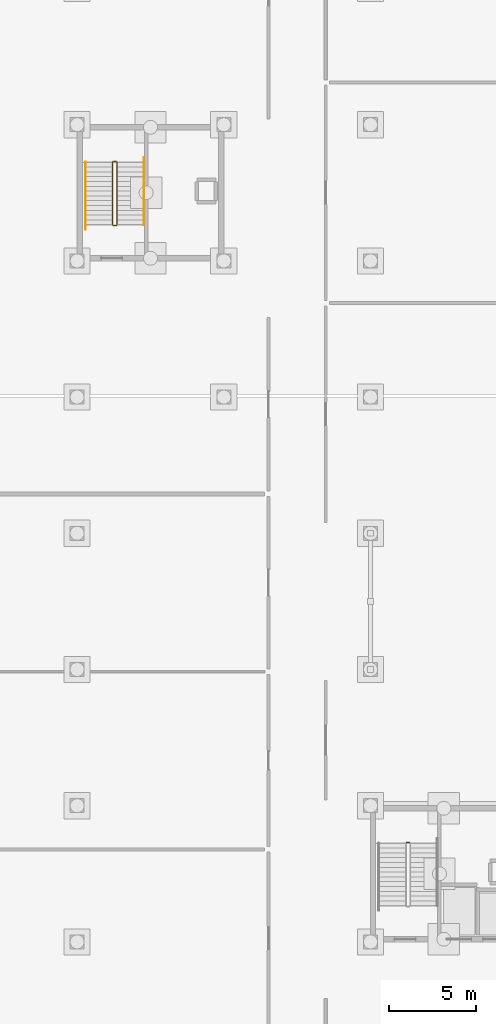
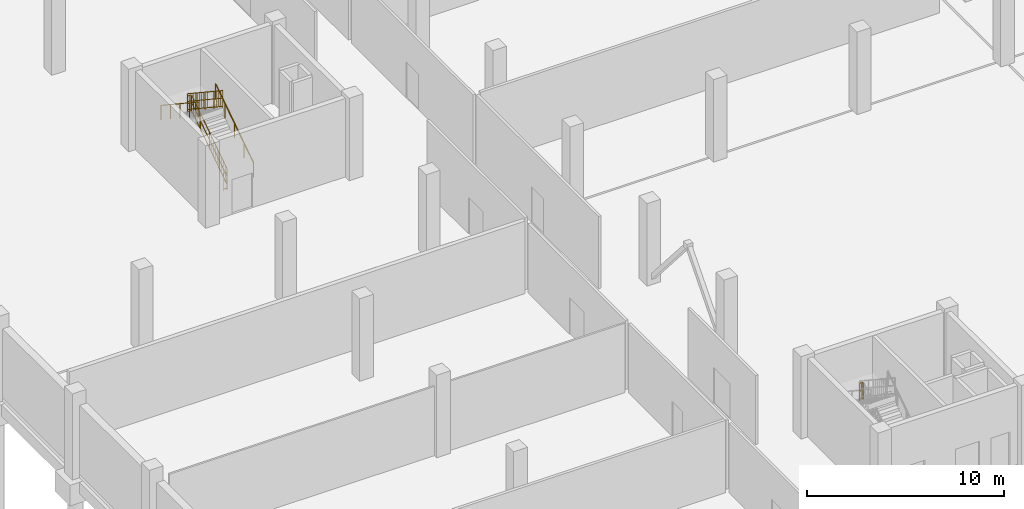
# One storey, part 42 of 48: 7 railings.
"""IFC4 building model written with IfcOpenShell, lengths in metres."""

from ifc_helpers import new_model, si_unit, direction, frame, origin, origin_2d, place, context, subcontext, project, spatial, circle, extrude, material, layer, layer_set, type_object, element, save


model = new_model("IFC4")

# Units and contexts
model_context = context("Model", 3, precision=1e-05, world=origin(), true_north=direction((0.0, 1.0)))
body_context = subcontext(model_context, "Body", "Model", "MODEL_VIEW")
ifc_project = project(units=[si_unit("LENGTHUNIT", "METRE"), si_unit("AREAUNIT", "SQUARE_METRE"), si_unit("VOLUMEUNIT", "CUBIC_METRE"), si_unit("PLANEANGLEUNIT", "RADIAN"), si_unit("MASSUNIT", "GRAM", prefix="KILO")], contexts=[model_context])

# Site, building, storey
site_placement = place(None, origin())
site = spatial("IfcSite", under=ifc_project, at=site_placement, CompositionType="ELEMENT")
building_placement = place(site_placement, origin())
building = spatial("IfcBuilding", under=site, at=building_placement, Name="Nabrawat Pavilion Hospital", CompositionType="ELEMENT")
storey_placement = place(building_placement, frame((0.0, 0.0, -5.10009765625)))
storey = spatial("IfcBuildingStorey", under=building, at=storey_placement, Name="B1", CompositionType="ELEMENT", Elevation=-5.10009765625)

# Railings
ifc_material = material(Name="Stainless Steel 316", Category="steel")
ifc_layer_1 = layer(ifc_material, 0.050048828125, Name="Stainless Steel 316")
ifc_layer_set_1 = layer_set([ifc_layer_1], Name="Stainless Steel 316")
railing_type_1 = type_object("IfcRailingType", Name="Stair Open-Well Safety Guardrail 1100", PredefinedType="GUARDRAIL", material=ifc_layer_set_1)
railing_1_placement = place(storey_placement, frame((35.85009765625, 60.294921875, 2.550048828125)))
element("IfcRailing", 1, at=railing_1_placement, inside=storey, type_object=railing_type_1, Name="B1 ST-02 stair guard 2", PredefinedType="GUARDRAIL", context=body_context, shape_type="SweptSolid", body=[
    extrude(circle(Radius=0.02392578125, at=origin_2d()), frame((0.0, 0.0, 1.076171875), z_axis=(-1.0, 0.0, 0.0), x_axis=(0.0, -1.0, 0.0)), (0.0, 0.0, 1.0), 0.2001953125),
    extrude(circle(Radius=0.02392578125, at=origin_2d()), frame((0.0, 0.0, 0.10009765625), z_axis=(-1.0, 0.0, 0.0), x_axis=(0.0, -1.0, 0.0)), (0.0, 0.0, 1.0), 0.2001953125),
    extrude(circle(Radius=0.02392578125, at=origin_2d()), frame((0.0, 0.0, 0.60498046875), z_axis=(-1.0, 0.0, 0.0), x_axis=(0.0, -1.0, 0.0)), (0.0, 0.0, 1.0), 0.2001953125),
    extrude(circle(Radius=0.008056640625, at=origin_2d()), frame((-0.10009765625, 0.0, 0.10009765625)), (0.0, 0.0, 1.0), 0.951904296875),
    extrude(circle(Radius=0.02099609375, at=origin_2d()), origin(), (0.0, 0.0, 1.0), 1.052001953125),
    extrude(circle(Radius=0.02099609375, at=origin_2d()), frame((-0.2001953125, 0.0, 0.0)), (0.0, 0.0, 1.0), 1.052001953125),
])
railing_2_placement = place(storey_placement, frame((19.074951171875, 95.669921875, 0.18212890625)))
element("IfcRailing", 2, at=railing_2_placement, inside=storey, type_object=railing_type_1, Name="B1 ST-07 stair guard 1", PredefinedType="GUARDRAIL", context=body_context, shape_type="SweptSolid", body=[
    extrude(circle(Radius=0.02392578125, at=origin_2d()), frame((0.0, 0.0, 1.076171875), z_axis=(0.0, 0.833719449677, 0.5521882643), x_axis=(-1.0, 0.0, 0.0)), (0.0, 0.0, 1.0), 4.288330078125),
    extrude(circle(Radius=0.02392578125, at=origin_2d()), frame((0.0, 0.0, 0.10009765625), z_axis=(0.0, 0.833719449677, 0.5521882643), x_axis=(-1.0, 0.0, 0.0)), (0.0, 0.0, 1.0), 4.288330078125),
    extrude(circle(Radius=0.02392578125, at=origin_2d()), frame((0.0, 0.0, 0.60498046875), z_axis=(0.0, 0.833719449677, 0.5521882643), x_axis=(-1.0, 0.0, 0.0)), (0.0, 0.0, 1.0), 4.288330078125),
    extrude(circle(Radius=0.008056640625, at=origin_2d()), frame((0.0, 0.19873046875, 0.2314453125)), (0.0, 0.0, 1.0), 0.951904296875),
    extrude(circle(Radius=0.008056640625, at=origin_2d()), frame((0.0, 0.397216796875, 0.363037109375)), (0.0, 0.0, 1.0), 0.951904296875),
    extrude(circle(Radius=0.008056640625, at=origin_2d()), frame((0.0, 0.595947265625, 0.49462890625)), (0.0, 0.0, 1.0), 0.951904296875),
    extrude(circle(Radius=0.008056640625, at=origin_2d()), frame((0.0, 0.79443359375, 0.626220703125)), (0.0, 0.0, 1.0), 0.951904296875),
    extrude(circle(Radius=0.008056640625, at=origin_2d()), frame((0.0, 0.9931640625, 0.7578125)), (0.0, 0.0, 1.0), 0.951904296875),
    extrude(circle(Radius=0.008056640625, at=origin_2d()), frame((0.0, 1.191650390625, 0.889404296875)), (0.0, 0.0, 1.0), 0.951904296875),
    extrude(circle(Radius=0.008056640625, at=origin_2d()), frame((0.0, 1.390380859375, 1.020751953125)), (0.0, 0.0, 1.0), 0.951904296875),
    extrude(circle(Radius=0.008056640625, at=origin_2d()), frame((0.0, 1.5888671875, 1.15234375)), (0.0, 0.0, 1.0), 0.951904296875),
    extrude(circle(Radius=0.008056640625, at=origin_2d()), frame((0.0, 1.986328125, 1.41552734375)), (0.0, 0.0, 1.0), 0.951904296875),
    extrude(circle(Radius=0.008056640625, at=origin_2d()), frame((0.0, 2.184814453125, 1.547119140625)), (0.0, 0.0, 1.0), 0.951904296875),
    extrude(circle(Radius=0.008056640625, at=origin_2d()), frame((0.0, 2.383544921875, 1.6787109375)), (0.0, 0.0, 1.0), 0.951904296875),
    extrude(circle(Radius=0.008056640625, at=origin_2d()), frame((0.0, 2.58203125, 1.81005859375)), (0.0, 0.0, 1.0), 0.951904296875),
    extrude(circle(Radius=0.008056640625, at=origin_2d()), frame((0.0, 2.78076171875, 1.941650390625)), (0.0, 0.0, 1.0), 0.951904296875),
    extrude(circle(Radius=0.008056640625, at=origin_2d()), frame((0.0, 2.979248046875, 2.0732421875)), (0.0, 0.0, 1.0), 0.951904296875),
    extrude(circle(Radius=0.008056640625, at=origin_2d()), frame((0.0, 3.177978515625, 2.204833984375)), (0.0, 0.0, 1.0), 0.951904296875),
    extrude(circle(Radius=0.008056640625, at=origin_2d()), frame((0.0, 3.37646484375, 2.33642578125)), (0.0, 0.0, 1.0), 0.951904296875),
    extrude(circle(Radius=0.02099609375, at=origin_2d()), origin(), (0.0, 0.0, 1.0), 1.052001953125),
    extrude(circle(Radius=0.02099609375, at=origin_2d()), frame((0.0, 0.893798828125, 0.592041015625)), (0.0, 0.0, 1.0), 1.052001953125),
    extrude(circle(Radius=0.02099609375, at=origin_2d()), frame((0.0, 1.78759765625, 1.18408203125)), (0.0, 0.0, 1.0), 1.052001953125),
    extrude(circle(Radius=0.02099609375, at=origin_2d()), frame((0.0, 2.681396484375, 1.77587890625)), (0.0, 0.0, 1.0), 1.052001953125),
    extrude(circle(Radius=0.02099609375, at=origin_2d()), frame((0.0, 3.5751953125, 2.367919921875)), (0.0, 0.0, 1.0), 1.052001953125),
])
railing_3_placement = place(storey_placement, frame((19.050048828125, 99.294921875, 2.550048828125)))
element("IfcRailing", 3, at=railing_3_placement, inside=storey, type_object=railing_type_1, Name="B1 ST-07 stair guard 2", PredefinedType="GUARDRAIL", context=body_context, shape_type="SweptSolid", body=[
    extrude(circle(Radius=0.02392578125, at=origin_2d()), frame((0.0, 0.0, 1.076171875), z_axis=(-1.0, 0.0, 0.0), x_axis=(0.0, -1.0, 0.0)), (0.0, 0.0, 1.0), 0.199951171875),
    extrude(circle(Radius=0.02392578125, at=origin_2d()), frame((0.0, 0.0, 0.10009765625), z_axis=(-1.0, 0.0, 0.0), x_axis=(0.0, -1.0, 0.0)), (0.0, 0.0, 1.0), 0.199951171875),
    extrude(circle(Radius=0.02392578125, at=origin_2d()), frame((0.0, 0.0, 0.60498046875), z_axis=(-1.0, 0.0, 0.0), x_axis=(0.0, -1.0, 0.0)), (0.0, 0.0, 1.0), 0.199951171875),
    extrude(circle(Radius=0.008056640625, at=origin_2d()), frame((-0.10009765625, 0.0, 0.10009765625)), (0.0, 0.0, 1.0), 0.951904296875),
    extrude(circle(Radius=0.02099609375, at=origin_2d()), origin(), (0.0, 0.0, 1.0), 1.052001953125),
    extrude(circle(Radius=0.02099609375, at=origin_2d()), frame((-0.199951171875, 0.0, 0.0)), (0.0, 0.0, 1.0), 1.052001953125),
])
railing_4_placement = place(storey_placement, frame((18.824951171875, 99.2451171875, 2.732177734375)))
element("IfcRailing", 4, at=railing_4_placement, inside=storey, type_object=railing_type_1, Name="B1 ST-07 stair guard 3", PredefinedType="GUARDRAIL", context=body_context, shape_type="SweptSolid", body=[
    extrude(circle(Radius=0.02392578125, at=origin_2d()), frame((0.0, 0.0, 1.076171875), z_axis=(0.0, -0.833719449677, 0.5521882643), x_axis=(1.0, 0.0, 0.0)), (0.0, 0.0, 1.0), 4.288330078125),
    extrude(circle(Radius=0.02392578125, at=origin_2d()), frame((0.0, 0.0, 0.10009765625), z_axis=(0.0, -0.833719449677, 0.5521882643), x_axis=(1.0, 0.0, 0.0)), (0.0, 0.0, 1.0), 4.288330078125),
    extrude(circle(Radius=0.02392578125, at=origin_2d()), frame((0.0, 0.0, 0.60498046875), z_axis=(0.0, -0.833719449677, 0.5521882643), x_axis=(1.0, 0.0, 0.0)), (0.0, 0.0, 1.0), 4.288330078125),
    extrude(circle(Radius=0.008056640625, at=origin_2d()), frame((0.0, -0.19873046875, 0.2314453125)), (0.0, 0.0, 1.0), 0.951904296875),
    extrude(circle(Radius=0.008056640625, at=origin_2d()), frame((0.0, -0.397216796875, 0.363037109375)), (0.0, 0.0, 1.0), 0.951904296875),
    extrude(circle(Radius=0.008056640625, at=origin_2d()), frame((0.0, -0.595947265625, 0.49462890625)), (0.0, 0.0, 1.0), 0.951904296875),
    extrude(circle(Radius=0.008056640625, at=origin_2d()), frame((0.0, -0.79443359375, 0.626220703125)), (0.0, 0.0, 1.0), 0.951904296875),
    extrude(circle(Radius=0.008056640625, at=origin_2d()), frame((0.0, -0.9931640625, 0.7578125)), (0.0, 0.0, 1.0), 0.951904296875),
    extrude(circle(Radius=0.008056640625, at=origin_2d()), frame((0.0, -1.191650390625, 0.889404296875)), (0.0, 0.0, 1.0), 0.951904296875),
    extrude(circle(Radius=0.008056640625, at=origin_2d()), frame((0.0, -1.390380859375, 1.020751953125)), (0.0, 0.0, 1.0), 0.951904296875),
    extrude(circle(Radius=0.008056640625, at=origin_2d()), frame((0.0, -1.5888671875, 1.15234375)), (0.0, 0.0, 1.0), 0.951904296875),
    extrude(circle(Radius=0.008056640625, at=origin_2d()), frame((0.0, -1.986328125, 1.41552734375)), (0.0, 0.0, 1.0), 0.951904296875),
    extrude(circle(Radius=0.008056640625, at=origin_2d()), frame((0.0, -2.184814453125, 1.547119140625)), (0.0, 0.0, 1.0), 0.951904296875),
    extrude(circle(Radius=0.008056640625, at=origin_2d()), frame((0.0, -2.383544921875, 1.6787109375)), (0.0, 0.0, 1.0), 0.951904296875),
    extrude(circle(Radius=0.008056640625, at=origin_2d()), frame((0.0, -2.58203125, 1.81005859375)), (0.0, 0.0, 1.0), 0.951904296875),
    extrude(circle(Radius=0.008056640625, at=origin_2d()), frame((0.0, -2.78076171875, 1.941650390625)), (0.0, 0.0, 1.0), 0.951904296875),
    extrude(circle(Radius=0.008056640625, at=origin_2d()), frame((0.0, -2.979248046875, 2.0732421875)), (0.0, 0.0, 1.0), 0.951904296875),
    extrude(circle(Radius=0.008056640625, at=origin_2d()), frame((0.0, -3.177978515625, 2.204833984375)), (0.0, 0.0, 1.0), 0.951904296875),
    extrude(circle(Radius=0.008056640625, at=origin_2d()), frame((0.0, -3.37646484375, 2.33642578125)), (0.0, 0.0, 1.0), 0.951904296875),
    extrude(circle(Radius=0.02099609375, at=origin_2d()), origin(), (0.0, 0.0, 1.0), 1.052001953125),
    extrude(circle(Radius=0.02099609375, at=origin_2d()), frame((0.0, -0.893798828125, 0.592041015625)), (0.0, 0.0, 1.0), 1.052001953125),
    extrude(circle(Radius=0.02099609375, at=origin_2d()), frame((0.0, -1.78759765625, 1.18408203125)), (0.0, 0.0, 1.0), 1.052001953125),
    extrude(circle(Radius=0.02099609375, at=origin_2d()), frame((0.0, -2.681396484375, 1.77587890625)), (0.0, 0.0, 1.0), 1.052001953125),
    extrude(circle(Radius=0.02099609375, at=origin_2d()), frame((0.0, -3.5751953125, 2.367919921875)), (0.0, 0.0, 1.0), 1.052001953125),
])
railing_5_placement = place(storey_placement, frame((19.050048828125, 95.6201171875, 0.0)))
element("IfcRailing", 5, at=railing_5_placement, inside=storey, type_object=railing_type_1, Name="B1 ST-07 stair guard 4", PredefinedType="GUARDRAIL", context=body_context, shape_type="SweptSolid", body=[
    extrude(circle(Radius=0.02392578125, at=origin_2d()), frame((0.0, 0.0, 1.076171875), z_axis=(-1.0, 0.0, 0.0), x_axis=(0.0, -1.0, 0.0)), (0.0, 0.0, 1.0), 0.199951171875),
    extrude(circle(Radius=0.02392578125, at=origin_2d()), frame((0.0, 0.0, 0.10009765625), z_axis=(-1.0, 0.0, 0.0), x_axis=(0.0, -1.0, 0.0)), (0.0, 0.0, 1.0), 0.199951171875),
    extrude(circle(Radius=0.02392578125, at=origin_2d()), frame((0.0, 0.0, 0.60498046875), z_axis=(-1.0, 0.0, 0.0), x_axis=(0.0, -1.0, 0.0)), (0.0, 0.0, 1.0), 0.199951171875),
    extrude(circle(Radius=0.008056640625, at=origin_2d()), frame((-0.10009765625, 0.0, 0.10009765625)), (0.0, 0.0, 1.0), 0.951904296875),
    extrude(circle(Radius=0.02099609375, at=origin_2d()), origin(), (0.0, 0.0, 1.0), 1.052001953125),
    extrude(circle(Radius=0.02099609375, at=origin_2d()), frame((-0.199951171875, 0.0, 0.0)), (0.0, 0.0, 1.0), 1.052001953125),
])
ifc_layer_2 = layer(ifc_material, 0.044921875, Name="Stainless Steel 316")
ifc_layer_set_2 = layer_set([ifc_layer_2], Name="Stainless Steel 316")
railing_type_2 = type_object("IfcRailingType", Name="Stair Pitch Continuous Handrail 920", PredefinedType="HANDRAIL", material=ifc_layer_set_2)
railing_6_placement = place(storey_placement, frame((20.625, 95.669921875, 0.186279296875)))
element("IfcRailing", 6, at=railing_6_placement, inside=storey, type_object=railing_type_2, Name="B1 ST-07 stair handrail 1", PredefinedType="HANDRAIL", context=body_context, shape_type="SweptSolid", body=[
    extrude(circle(Radius=0.02392578125, at=origin_2d()), frame((0.0, 0.0, 0.89599609375), z_axis=(0.0, 0.833713881912, 0.552196670677), x_axis=(-1.0, 0.0, 0.0)), (0.0, 0.0, 1.0), 4.617919921875),
    extrude(circle(Radius=0.02099609375, at=origin_2d()), origin(), (0.0, 0.0, 1.0), 0.871826171875),
    extrude(circle(Radius=0.02099609375, at=origin_2d()), frame((0.0, 0.96240234375, 0.637451171875)), (0.0, 0.0, 1.0), 0.871826171875),
    extrude(circle(Radius=0.02099609375, at=origin_2d()), frame((0.0, 1.925048828125, 1.27490234375)), (0.0, 0.0, 1.0), 0.871826171875),
    extrude(circle(Radius=0.02099609375, at=origin_2d()), frame((0.0, 2.8876953125, 1.91259765625)), (0.0, 0.0, 1.0), 0.871826171875),
    extrude(circle(Radius=0.02099609375, at=origin_2d()), frame((0.0, 3.85009765625, 2.550048828125)), (0.0, 0.0, 1.0), 0.871826171875),
])
railing_7_placement = place(storey_placement, frame((17.27490234375, 99.2451171875, 2.736328125)))
element("IfcRailing", 7, at=railing_7_placement, inside=storey, type_object=railing_type_2, Name="B1 ST-07 stair handrail 2", PredefinedType="HANDRAIL", context=body_context, shape_type="SweptSolid", body=[
    extrude(circle(Radius=0.02392578125, at=origin_2d()), frame((0.0, 0.0, 0.89599609375), z_axis=(0.0, -0.833738220445, 0.552159922278), x_axis=(1.0, 0.0, 0.0)), (0.0, 0.0, 1.0), 4.617919921875),
    extrude(circle(Radius=0.02099609375, at=origin_2d()), origin(), (0.0, 0.0, 1.0), 0.871826171875),
    extrude(circle(Radius=0.02099609375, at=origin_2d()), frame((0.0, -0.96240234375, 0.637451171875)), (0.0, 0.0, 1.0), 0.871826171875),
    extrude(circle(Radius=0.02099609375, at=origin_2d()), frame((0.0, -1.925048828125, 1.27490234375)), (0.0, 0.0, 1.0), 0.871826171875),
    extrude(circle(Radius=0.02099609375, at=origin_2d()), frame((0.0, -2.8876953125, 1.912353515625)), (0.0, 0.0, 1.0), 0.871826171875),
    extrude(circle(Radius=0.02099609375, at=origin_2d()), frame((0.0, -3.85009765625, 2.5498046875)), (0.0, 0.0, 1.0), 0.871826171875),
])

save(model, "model.ifc")
